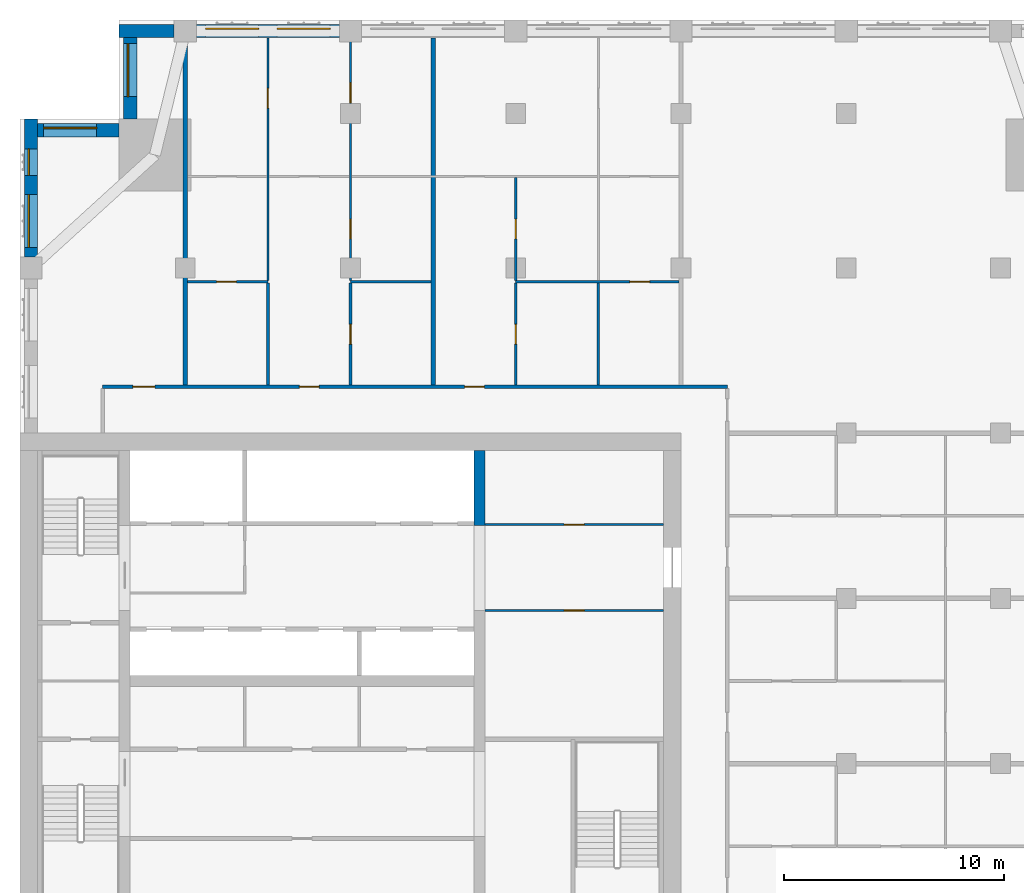
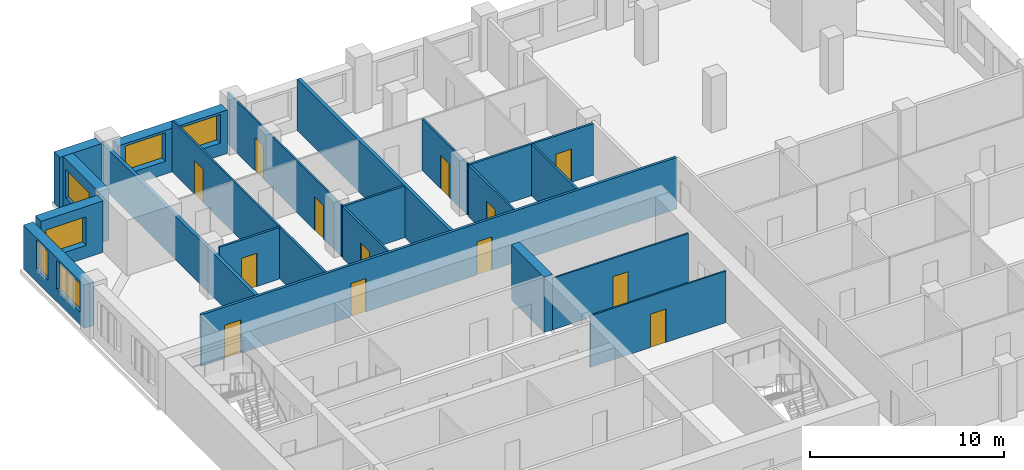
# One storey, part 10 of 14: 21 walls, 13 doors, 6 windows, 19 openings.
"""IFC4 building model written with IfcOpenShell, lengths in metres."""

from ifc_helpers import new_model, si_unit, direction, frame, frame_2d, origin, place, context, subcontext, project, spatial, rectangle, extrude, material, layer, layer_set, type_object, element, fill, save


model = new_model("IFC4")

# Units and contexts
model_context = context("Model", 3, precision=1e-05, world=origin(), true_north=direction((0.0, 1.0)))
body_context = subcontext(model_context, "Body", "Model", "MODEL_VIEW")
ifc_project = project(units=[si_unit("LENGTHUNIT", "METRE"), si_unit("AREAUNIT", "SQUARE_METRE"), si_unit("VOLUMEUNIT", "CUBIC_METRE"), si_unit("PLANEANGLEUNIT", "RADIAN"), si_unit("MASSUNIT", "GRAM", prefix="KILO")], contexts=[model_context])

# Site, building, storey
site_placement = place(None, origin())
site = spatial("IfcSite", under=ifc_project, at=site_placement, CompositionType="ELEMENT")
building_placement = place(site_placement, origin())
building = spatial("IfcBuilding", under=site, at=building_placement, Name="Tamorin Gate", CompositionType="ELEMENT")
storey_placement = place(building_placement, frame((0.0, 0.0, 196.699951171875)))
storey = spatial("IfcBuildingStorey", under=building, at=storey_placement, Name="L48", CompositionType="ELEMENT", Elevation=196.699951171875)

# Wall, openings, windows
ifc_material_1 = material(Name="Precast concrete C40/50", Category="concrete")
ifc_layer_1 = layer(ifc_material_1, 0.60009765625)
ifc_layer_set_1 = layer_set([ifc_layer_1], Name="Precast concrete C40/50")
wall_type_1 = type_object("IfcWallType", Name="Board-marked concrete facade panel 600", PredefinedType="SOLIDWALL", material=ifc_layer_set_1)
wall_1_placement = place(storey_placement, frame((44.5, 100.75, 0.0), z_axis=(0.0, 0.0, 1.0), x_axis=(-1.0, 0.0, 0.0)))
wall_1 = element("IfcWall", 1, at=wall_1_placement, inside=storey, type_object=wall_type_1, Name="Facade panel", PredefinedType="SOLIDWALL", context=body_context, shape_type="SweptSolid", body=[
    extrude(rectangle(XDim=6.5, YDim=0.60009765625, at=frame_2d((3.25, 0.0))), origin(), (0.0, 0.0, 1.0), 2.75),
])
opening_1_placement = place(wall_1_placement, frame((3.675048828125, 0.0, 0.800048828125)))
opening_1 = element("IfcOpeningElement", 2, at=opening_1_placement, cuts=wall_1, Name="Opening WN1", PredefinedType="OPENING", context=body_context, shape_type="SweptSolid", body=[
    extrude(rectangle(XDim=2.39990234375, YDim=1.800048828125, at=frame_2d((1.199951171875, 0.89990234375))), frame((0.0, 0.31005859375, 0.0), z_axis=(0.0, -1.0, 0.0), x_axis=(1.0, 0.0, 0.0)), (0.0, 0.0, 1.0), 0.6201171875),
])
opening_2_placement = place(wall_1_placement, frame((0.425048828125, 0.0, 0.800048828125)))
opening_2 = element("IfcOpeningElement", 3, at=opening_2_placement, cuts=wall_1, Name="Opening WN1", PredefinedType="OPENING", context=body_context, shape_type="SweptSolid", body=[
    extrude(rectangle(XDim=2.39990234375, YDim=1.800048828125, at=frame_2d((1.199951171875, 0.89990234375))), frame((0.0, 0.31005859375, 0.0), z_axis=(0.0, -1.0, 0.0), x_axis=(1.0, 0.0, 0.0)), (0.0, 0.0, 1.0), 0.6201171875),
])
ifc_material_2 = material(Name="Clear glass in aluminium frame", Category="aluminium")
window_type_1 = type_object("IfcWindowType", Name="Deep-set window 2400x1800", PartitioningType="SINGLE_PANEL", PredefinedType="WINDOW", material=ifc_material_2)
window_1_placement = place(opening_1_placement, origin())
window_1 = element("IfcWindow", 4, at=window_1_placement, inside=storey, type_object=window_type_1, Name="Deep-set window", OverallHeight=1.800048828125, OverallWidth=2.39990234375, PartitioningType="SINGLE_PANEL", PredefinedType="WINDOW", context=body_context, shape_type="SweptSolid", body=[
    extrude(rectangle(XDim=2.39990234375, YDim=1.800048828125, at=frame_2d((1.199951171875, 0.89990234375))), frame((0.0, -0.070068359375, 0.0), z_axis=(0.0, -1.0, 0.0), x_axis=(1.0, 0.0, 0.0)), (0.0, 0.0, 1.0), 0.06005859375),
])
fill(opening_1, window_1)
window_2_placement = place(opening_2_placement, origin())
window_2 = element("IfcWindow", 5, at=window_2_placement, inside=storey, type_object=window_type_1, Name="Deep-set window", OverallHeight=1.800048828125, OverallWidth=2.39990234375, PartitioningType="SINGLE_PANEL", PredefinedType="WINDOW", context=body_context, shape_type="SweptSolid", body=[
    extrude(rectangle(XDim=2.39990234375, YDim=1.800048828125, at=frame_2d((1.199951171875, 0.89990234375))), frame((0.0, -0.070068359375, 0.0), z_axis=(0.0, -1.0, 0.0), x_axis=(1.0, 0.0, 0.0)), (0.0, 0.0, 1.0), 0.06005859375),
])
fill(opening_2, window_2)

# Wall
wall_2_placement = place(storey_placement, frame((37.0, 100.75, 0.0), z_axis=(0.0, 0.0, 1.0), x_axis=(-1.0, 0.0, 0.0)))
element("IfcWall", 6, at=wall_2_placement, inside=storey, type_object=wall_type_1, Name="Facade panel", PredefinedType="SOLIDWALL", context=body_context, shape_type="SweptSolid", body=[
    extrude(rectangle(XDim=2.5, YDim=0.60009765625, at=frame_2d((1.25, 0.0))), origin(), (0.0, 0.0, 1.0), 3.25),
])

# Wall, opening, window
wall_3_placement = place(storey_placement, frame((35.0, 100.449951171875, 0.0), z_axis=(0.0, 0.0, 1.0), x_axis=(0.0, -1.0, 0.0)))
wall_3 = element("IfcWall", 7, at=wall_3_placement, inside=storey, type_object=wall_type_1, Name="Facade panel", PredefinedType="SOLIDWALL", context=body_context, shape_type="SweptSolid", body=[
    extrude(rectangle(XDim=3.699951171875, YDim=0.60009765625, at=frame_2d((1.85009765625, 0.0))), origin(), (0.0, 0.0, 1.0), 3.25),
])
opening_3_placement = place(wall_3_placement, frame((0.27490234375, 0.0, 0.800048828125)))
opening_3 = element("IfcOpeningElement", 8, at=opening_3_placement, cuts=wall_3, Name="Opening WN1", PredefinedType="OPENING", context=body_context, shape_type="SweptSolid", body=[
    extrude(rectangle(XDim=2.39990234375, YDim=1.800048828125, at=frame_2d((1.199951171875, 0.89990234375))), frame((0.0, 0.31005859375, 0.0), z_axis=(0.0, -1.0, 0.0), x_axis=(1.0, 0.0, 0.0)), (0.0, 0.0, 1.0), 0.6201171875),
])
window_3_placement = place(opening_3_placement, origin())
window_3 = element("IfcWindow", 9, at=window_3_placement, inside=storey, type_object=window_type_1, Name="Deep-set window", OverallHeight=1.800048828125, OverallWidth=2.39990234375, PartitioningType="SINGLE_PANEL", PredefinedType="WINDOW", context=body_context, shape_type="SweptSolid", body=[
    extrude(rectangle(XDim=2.39990234375, YDim=1.800048828125, at=frame_2d((1.199951171875, 0.89990234375))), frame((0.0, -0.070068359375, 0.0), z_axis=(0.0, -1.0, 0.0), x_axis=(1.0, 0.0, 0.0)), (0.0, 0.0, 1.0), 0.06005859375),
])
fill(opening_3, window_3)

wall_4_placement = place(storey_placement, frame((34.5, 96.25, 0.0), z_axis=(0.0, 0.0, 1.0), x_axis=(-1.0, 0.0, 0.0)))
wall_4 = element("IfcWall", 10, at=wall_4_placement, inside=storey, type_object=wall_type_1, Name="Facade panel", PredefinedType="SOLIDWALL", context=body_context, shape_type="SweptSolid", body=[
    extrude(rectangle(XDim=3.699951171875, YDim=0.60009765625, at=frame_2d((1.85009765625, 0.0))), origin(), (0.0, 0.0, 1.0), 3.25),
])
opening_4_placement = place(wall_4_placement, frame((1.02490234375, 0.0, 0.800048828125)))
opening_4 = element("IfcOpeningElement", 11, at=opening_4_placement, cuts=wall_4, Name="Opening WN1", PredefinedType="OPENING", context=body_context, shape_type="SweptSolid", body=[
    extrude(rectangle(XDim=2.39990234375, YDim=1.800048828125, at=frame_2d((1.199951171875, 0.89990234375))), frame((0.0, 0.31005859375, 0.0), z_axis=(0.0, -1.0, 0.0), x_axis=(1.0, 0.0, 0.0)), (0.0, 0.0, 1.0), 0.6201171875),
])
window_4_placement = place(opening_4_placement, origin())
window_4 = element("IfcWindow", 12, at=window_4_placement, inside=storey, type_object=window_type_1, Name="Deep-set window", OverallHeight=1.800048828125, OverallWidth=2.39990234375, PartitioningType="SINGLE_PANEL", PredefinedType="WINDOW", context=body_context, shape_type="SweptSolid", body=[
    extrude(rectangle(XDim=2.39990234375, YDim=1.800048828125, at=frame_2d((1.199951171875, 0.89990234375))), frame((0.0, -0.070068359375, 0.0), z_axis=(0.0, -1.0, 0.0), x_axis=(1.0, 0.0, 0.0)), (0.0, 0.0, 1.0), 0.06005859375),
])
fill(opening_4, window_4)

# Wall, openings, windows
wall_5_placement = place(storey_placement, frame((30.5, 96.75, 0.0), z_axis=(0.0, 0.0, 1.0), x_axis=(0.0, -1.0, 0.0)))
wall_5 = element("IfcWall", 13, at=wall_5_placement, inside=storey, type_object=wall_type_1, Name="Facade panel", PredefinedType="SOLIDWALL", context=body_context, shape_type="SweptSolid", body=[
    extrude(rectangle(XDim=6.25, YDim=0.60009765625, at=frame_2d((3.125, 0.0))), origin(), (0.0, 0.0, 1.0), 2.75),
])
opening_5_placement = place(wall_5_placement, frame((3.425048828125, 0.0, 0.800048828125)))
opening_5 = element("IfcOpeningElement", 14, at=opening_5_placement, cuts=wall_5, Name="Opening WN1", PredefinedType="OPENING", context=body_context, shape_type="SweptSolid", body=[
    extrude(rectangle(XDim=2.39990234375, YDim=1.800048828125, at=frame_2d((1.199951171875, 0.89990234375))), frame((0.0, 0.31005859375, 0.0), z_axis=(0.0, -1.0, 0.0), x_axis=(1.0, 0.0, 0.0)), (0.0, 0.0, 1.0), 0.6201171875),
])
opening_6_placement = place(wall_5_placement, frame((1.35009765625, 0.0, 0.800048828125)))
opening_6 = element("IfcOpeningElement", 15, at=opening_6_placement, cuts=wall_5, Name="Opening WN3", PredefinedType="OPENING", context=body_context, shape_type="SweptSolid", body=[
    extrude(rectangle(XDim=1.199951171875, YDim=1.800048828125, at=frame_2d((0.60009765625, 0.89990234375))), frame((0.0, 0.31005859375, 0.0), z_axis=(0.0, -1.0, 0.0), x_axis=(1.0, 0.0, 0.0)), (0.0, 0.0, 1.0), 0.6201171875),
])
window_type_2 = type_object("IfcWindowType", Name="Deep-set window 1200x1800", PartitioningType="SINGLE_PANEL", PredefinedType="WINDOW", material=ifc_material_2)
window_5_placement = place(opening_6_placement, origin())
window_5 = element("IfcWindow", 16, at=window_5_placement, inside=storey, type_object=window_type_2, Name="Deep-set window", OverallHeight=1.800048828125, OverallWidth=1.199951171875, PartitioningType="SINGLE_PANEL", PredefinedType="WINDOW", context=body_context, shape_type="SweptSolid", body=[
    extrude(rectangle(XDim=1.199951171875, YDim=1.800048828125, at=frame_2d((0.60009765625, 0.89990234375))), frame((0.0, -0.070068359375, 0.0), z_axis=(0.0, -1.0, 0.0), x_axis=(1.0, 0.0, 0.0)), (0.0, 0.0, 1.0), 0.06005859375),
])
fill(opening_6, window_5)
window_6_placement = place(opening_5_placement, origin())
window_6 = element("IfcWindow", 17, at=window_6_placement, inside=storey, type_object=window_type_1, Name="Deep-set window", OverallHeight=1.800048828125, OverallWidth=2.39990234375, PartitioningType="SINGLE_PANEL", PredefinedType="WINDOW", context=body_context, shape_type="SweptSolid", body=[
    extrude(rectangle(XDim=2.39990234375, YDim=1.800048828125, at=frame_2d((1.199951171875, 0.89990234375))), frame((0.0, -0.070068359375, 0.0), z_axis=(0.0, -1.0, 0.0), x_axis=(1.0, 0.0, 0.0)), (0.0, 0.0, 1.0), 0.06005859375),
])
fill(opening_5, window_6)

# Wall, openings, doors
ifc_material_3 = material(Name="Gypsum board partition")
ifc_layer_2 = layer(ifc_material_3, 0.14990234375)
ifc_layer_set_2 = layer_set([ifc_layer_2], Name="Corridor wall 150")
wall_type_2 = type_object("IfcWallType", Name="Corridor wall 150", PredefinedType="PARTITIONING", material=ifc_layer_set_2)
wall_6_placement = place(storey_placement, frame((33.75, 84.60009765625, 0.0), z_axis=(0.0, 0.0, 1.0), x_axis=(1.0, 0.0, 0.0)))
wall_6 = element("IfcWall", 18, at=wall_6_placement, inside=storey, type_object=wall_type_2, Name="Corridor wall 150", PredefinedType="PARTITIONING", context=body_context, shape_type="SweptSolid", body=[
    extrude(rectangle(XDim=28.35009765625, YDim=0.14990234375, at=frame_2d((14.175048828125, 0.0))), origin(), (0.0, 0.0, 1.0), 3.25),
])
opening_7_placement = place(wall_6_placement, frame((1.375, 0.0, 0.0)))
opening_7 = element("IfcOpeningElement", 19, at=opening_7_placement, cuts=wall_6, Name="Opening DR2019", PredefinedType="OPENING", context=body_context, shape_type="SweptSolid", body=[
    extrude(rectangle(XDim=1.0, YDim=2.10009765625, at=frame_2d((0.5, 1.050048828125))), frame((0.0, 0.0849609375, 0.0), z_axis=(0.0, -1.0, 0.0), x_axis=(1.0, 0.0, 0.0)), (0.0, 0.0, 1.0), 0.169921875),
])
opening_8_placement = place(wall_6_placement, frame((8.925048828125, 0.0, 0.0)))
opening_8 = element("IfcOpeningElement", 20, at=opening_8_placement, cuts=wall_6, Name="Opening DR2022", PredefinedType="OPENING", context=body_context, shape_type="SweptSolid", body=[
    extrude(rectangle(XDim=0.89990234375, YDim=2.10009765625, at=frame_2d((0.449951171875, 1.050048828125))), frame((0.0, 0.0849609375, 0.0), z_axis=(0.0, -1.0, 0.0), x_axis=(1.0, 0.0, 0.0)), (0.0, 0.0, 1.0), 0.169921875),
])
opening_9_placement = place(wall_6_placement, frame((16.425048828125, 0.0, 0.0)))
opening_9 = element("IfcOpeningElement", 21, at=opening_9_placement, cuts=wall_6, Name="Opening DR2028", PredefinedType="OPENING", context=body_context, shape_type="SweptSolid", body=[
    extrude(rectangle(XDim=0.89990234375, YDim=2.10009765625, at=frame_2d((0.449951171875, 1.050048828125))), frame((0.0, 0.0849609375, 0.0), z_axis=(0.0, -1.0, 0.0), x_axis=(1.0, 0.0, 0.0)), (0.0, 0.0, 1.0), 0.169921875),
])
ifc_material_4 = material(Name="Timber door leaf", Category="wood")
door_type_1 = type_object("IfcDoorType", Name="Door 1000 x 2100 FD30S", OperationType="NOTDEFINED", PredefinedType="DOOR", material=ifc_material_4)
door_1_placement = place(opening_7_placement, origin())
door_1 = element("IfcDoor", 22, at=door_1_placement, inside=storey, type_object=door_type_1, Name="Door DR2019", OperationType="SINGLE_SWING_LEFT", OverallHeight=2.10009765625, OverallWidth=1.0, PredefinedType="DOOR", context=body_context, shape_type="SweptSolid", body=[
    extrude(rectangle(XDim=1.0, YDim=2.10009765625, at=frame_2d((0.5, 1.050048828125))), frame((0.0, 0.02490234375, 0.0), z_axis=(0.0, -1.0, 0.0), x_axis=(1.0, 0.0, 0.0)), (0.0, 0.0, 1.0), 0.050048828125),
])
fill(opening_7, door_1)
door_type_2 = type_object("IfcDoorType", Name="Door 900 x 2100 FD30S", OperationType="NOTDEFINED", PredefinedType="DOOR", material=ifc_material_4)
door_2_placement = place(opening_8_placement, origin())
door_2 = element("IfcDoor", 23, at=door_2_placement, inside=storey, type_object=door_type_2, Name="Door DR2022", OperationType="SINGLE_SWING_LEFT", OverallHeight=2.10009765625, OverallWidth=0.89990234375, PredefinedType="DOOR", context=body_context, shape_type="SweptSolid", body=[
    extrude(rectangle(XDim=0.89990234375, YDim=2.10009765625, at=frame_2d((0.449951171875, 1.050048828125))), frame((0.0, 0.02490234375, 0.0), z_axis=(0.0, -1.0, 0.0), x_axis=(1.0, 0.0, 0.0)), (0.0, 0.0, 1.0), 0.050048828125),
])
fill(opening_8, door_2)
door_3_placement = place(opening_9_placement, origin())
door_3 = element("IfcDoor", 24, at=door_3_placement, inside=storey, type_object=door_type_2, Name="Door DR2028", OperationType="SINGLE_SWING_LEFT", OverallHeight=2.10009765625, OverallWidth=0.89990234375, PredefinedType="DOOR", context=body_context, shape_type="SweptSolid", body=[
    extrude(rectangle(XDim=0.89990234375, YDim=2.10009765625, at=frame_2d((0.449951171875, 1.050048828125))), frame((0.0, 0.02490234375, 0.0), z_axis=(0.0, -1.0, 0.0), x_axis=(1.0, 0.0, 0.0)), (0.0, 0.0, 1.0), 0.050048828125),
])
fill(opening_9, door_3)

# Walls
ifc_layer_3 = layer(ifc_material_3, 0.199951171875)
ifc_layer_set_3 = layer_set([ifc_layer_3], Name="Demising wall 200")
wall_type_3 = type_object("IfcWallType", Name="Demising wall 200", PredefinedType="PARTITIONING", material=ifc_layer_set_3)
wall_7_placement = place(storey_placement, frame((37.5, 84.675048828125, 0.0), z_axis=(0.0, 0.0, 1.0), x_axis=(0.0, 1.0, 0.0)))
element("IfcWall", 25, at=wall_7_placement, inside=storey, type_object=wall_type_3, Name="Demising wall 200", PredefinedType="PARTITIONING", context=body_context, shape_type="SweptSolid", body=[
    extrude(rectangle(XDim=16.574951171875, YDim=0.199951171875, at=frame_2d((8.28759765625, 0.0))), origin(), (0.0, 0.0, 1.0), 2.75),
])
wall_8_placement = place(storey_placement, frame((48.75, 84.675048828125, 0.0), z_axis=(0.0, 0.0, 1.0), x_axis=(0.0, 1.0, 0.0)))
element("IfcWall", 26, at=wall_8_placement, inside=storey, type_object=wall_type_3, Name="Demising wall 200", PredefinedType="PARTITIONING", context=body_context, shape_type="SweptSolid", body=[
    extrude(rectangle(XDim=15.764892578125, YDim=0.199951171875, at=frame_2d((7.88232421875, 0.0))), origin(), (0.0, 0.0, 1.0), 3.25),
])
ifc_material_5 = material(Name="Concrete C60/75", Category="concrete")
ifc_layer_4 = layer(ifc_material_5, 0.5)
ifc_layer_set_4 = layer_set([ifc_layer_4], Name="RC core internal wall 500 C60/75")
wall_type_4 = type_object("IfcWallType", Name="RC core internal wall 500 C60/75", PredefinedType="SHEAR", material=ifc_layer_set_4)
wall_9_placement = place(storey_placement, frame((50.85009765625, 78.300048828125, 0.0), z_axis=(0.0, 0.0, 1.0), x_axis=(0.0, 1.0, 0.0)))
element("IfcWall", 27, at=wall_9_placement, inside=storey, type_object=wall_type_4, Name="Core cross wall L48", PredefinedType="SHEAR", context=body_context, shape_type="SweptSolid", body=[
    extrude(rectangle(XDim=3.39990234375, YDim=0.5, at=frame_2d((1.699951171875, 0.0))), origin(), (0.0, 0.0, 1.0), 3.5),
])

# Wall, opening, door
ifc_layer_5 = layer(ifc_material_3, 0.10009765625)
ifc_layer_set_5 = layer_set([ifc_layer_5], Name="Room partition 100")
wall_type_5 = type_object("IfcWallType", Name="Room partition 100", PredefinedType="PARTITIONING", material=ifc_layer_set_5)
wall_10_placement = place(storey_placement, frame((41.25, 89.4375, 0.0), z_axis=(0.0, 0.0, 1.0), x_axis=(0.0, 1.0, 0.0)))
wall_10 = element("IfcWall", 28, at=wall_10_placement, inside=storey, type_object=wall_type_5, Name="Room partition 100", PredefinedType="PARTITIONING", context=body_context, shape_type="SweptSolid", body=[
    extrude(rectangle(XDim=11.00244140625, YDim=0.10009765625, at=frame_2d((5.501220703125, 0.0))), origin(), (0.0, 0.0, 1.0), 3.25),
])
opening_10_placement = place(wall_10_placement, frame((7.8125, 0.0, 0.0)))
opening_10 = element("IfcOpeningElement", 29, at=opening_10_placement, cuts=wall_10, Name="Opening DR2026", PredefinedType="OPENING", context=body_context, shape_type="SweptSolid", body=[
    extrude(rectangle(XDim=0.89990234375, YDim=2.10009765625, at=frame_2d((0.449951171875, 1.050048828125))), frame((0.0, 0.06005859375, 0.0), z_axis=(0.0, -1.0, 0.0), x_axis=(1.0, 0.0, 0.0)), (0.0, 0.0, 1.0), 0.1201171875),
])
door_type_3 = type_object("IfcDoorType", Name="Door 900 x 2100", OperationType="NOTDEFINED", PredefinedType="DOOR", material=ifc_material_4)
door_4_placement = place(opening_10_placement, origin())
door_4 = element("IfcDoor", 30, at=door_4_placement, inside=storey, type_object=door_type_3, Name="Door DR2026", OperationType="SINGLE_SWING_RIGHT", OverallHeight=2.10009765625, OverallWidth=0.89990234375, PredefinedType="DOOR", context=body_context, shape_type="SweptSolid", body=[
    extrude(rectangle(XDim=0.89990234375, YDim=2.10009765625, at=frame_2d((0.449951171875, 1.050048828125))), frame((0.0, 0.02490234375, 0.0), z_axis=(0.0, -1.0, 0.0), x_axis=(1.0, 0.0, 0.0)), (0.0, 0.0, 1.0), 0.050048828125),
])
fill(opening_10, door_4)

# Wall, openings, doors
wall_11_placement = place(storey_placement, frame((45.0, 89.4375, 0.0), z_axis=(0.0, 0.0, 1.0), x_axis=(0.0, 1.0, 0.0)))
wall_11 = element("IfcWall", 31, at=wall_11_placement, inside=storey, type_object=wall_type_5, Name="Room partition 100", PredefinedType="PARTITIONING", context=body_context, shape_type="SweptSolid", body=[
    extrude(rectangle(XDim=11.8125, YDim=0.10009765625, at=frame_2d((5.90625, 0.0))), origin(), (0.0, 0.0, 1.0), 3.25),
])
opening_11_placement = place(wall_11_placement, frame((1.875, 0.0, 0.0)))
opening_11 = element("IfcOpeningElement", 32, at=opening_11_placement, cuts=wall_11, Name="Opening DR2024", PredefinedType="OPENING", context=body_context, shape_type="SweptSolid", body=[
    extrude(rectangle(XDim=0.89990234375, YDim=2.10009765625, at=frame_2d((0.449951171875, 1.050048828125))), frame((0.0, 0.06005859375, 0.0), z_axis=(0.0, -1.0, 0.0), x_axis=(1.0, 0.0, 0.0)), (0.0, 0.0, 1.0), 0.1201171875),
])
opening_12_placement = place(wall_11_placement, frame((8.0625, 0.0, 0.0)))
opening_12 = element("IfcOpeningElement", 33, at=opening_12_placement, cuts=wall_11, Name="Opening DR2027", PredefinedType="OPENING", context=body_context, shape_type="SweptSolid", body=[
    extrude(rectangle(XDim=0.89990234375, YDim=2.10009765625, at=frame_2d((0.449951171875, 1.050048828125))), frame((0.0, 0.06005859375, 0.0), z_axis=(0.0, -1.0, 0.0), x_axis=(1.0, 0.0, 0.0)), (0.0, 0.0, 1.0), 0.1201171875),
])
door_5_placement = place(opening_11_placement, origin())
door_5 = element("IfcDoor", 34, at=door_5_placement, inside=storey, type_object=door_type_3, Name="Door DR2024", OperationType="SINGLE_SWING_LEFT", OverallHeight=2.10009765625, OverallWidth=0.89990234375, PredefinedType="DOOR", context=body_context, shape_type="SweptSolid", body=[
    extrude(rectangle(XDim=0.89990234375, YDim=2.10009765625, at=frame_2d((0.449951171875, 1.050048828125))), frame((0.0, 0.02490234375, 0.0), z_axis=(0.0, -1.0, 0.0), x_axis=(1.0, 0.0, 0.0)), (0.0, 0.0, 1.0), 0.050048828125),
])
fill(opening_11, door_5)
door_6_placement = place(opening_12_placement, origin())
door_6 = element("IfcDoor", 35, at=door_6_placement, inside=storey, type_object=door_type_3, Name="Door DR2027", OperationType="SINGLE_SWING_RIGHT", OverallHeight=2.10009765625, OverallWidth=0.89990234375, PredefinedType="DOOR", context=body_context, shape_type="SweptSolid", body=[
    extrude(rectangle(XDim=0.89990234375, YDim=2.10009765625, at=frame_2d((0.449951171875, 1.050048828125))), frame((0.0, 0.02490234375, 0.0), z_axis=(0.0, -1.0, 0.0), x_axis=(1.0, 0.0, 0.0)), (0.0, 0.0, 1.0), 0.050048828125),
])
fill(opening_12, door_6)

# Wall, opening, door
wall_12_placement = place(storey_placement, frame((52.5, 89.4375, 0.0), z_axis=(0.0, 0.0, 1.0), x_axis=(0.0, 1.0, 0.0)))
wall_12 = element("IfcWall", 36, at=wall_12_placement, inside=storey, type_object=wall_type_5, Name="Room partition 100", PredefinedType="PARTITIONING", context=body_context, shape_type="SweptSolid", body=[
    extrude(rectangle(XDim=4.66259765625, YDim=0.10009765625, at=frame_2d((2.331298828125, 0.0))), origin(), (0.0, 0.0, 1.0), 3.25),
])
opening_13_placement = place(wall_12_placement, frame((1.875, 0.0, 0.0)))
opening_13 = element("IfcOpeningElement", 37, at=opening_13_placement, cuts=wall_12, Name="Opening DR2030", PredefinedType="OPENING", context=body_context, shape_type="SweptSolid", body=[
    extrude(rectangle(XDim=0.89990234375, YDim=2.10009765625, at=frame_2d((0.449951171875, 1.050048828125))), frame((0.0, 0.06005859375, 0.0), z_axis=(0.0, -1.0, 0.0), x_axis=(1.0, 0.0, 0.0)), (0.0, 0.0, 1.0), 0.1201171875),
])
door_7_placement = place(opening_13_placement, origin())
door_7 = element("IfcDoor", 38, at=door_7_placement, inside=storey, type_object=door_type_3, Name="Door DR2030", OperationType="SINGLE_SWING_LEFT", OverallHeight=2.10009765625, OverallWidth=0.89990234375, PredefinedType="DOOR", context=body_context, shape_type="SweptSolid", body=[
    extrude(rectangle(XDim=0.89990234375, YDim=2.10009765625, at=frame_2d((0.449951171875, 1.050048828125))), frame((0.0, 0.02490234375, 0.0), z_axis=(0.0, -1.0, 0.0), x_axis=(1.0, 0.0, 0.0)), (0.0, 0.0, 1.0), 0.050048828125),
])
fill(opening_13, door_7)

ifc_layer_6 = layer(ifc_material_3, 0.10009765625)
ifc_layer_set_6 = layer_set([ifc_layer_6], Name="Service room partition 100 EI 60")
wall_type_6 = type_object("IfcWallType", Name="Service room partition 100 EI 60", PredefinedType="PARTITIONING", material=ifc_layer_set_6)
wall_13_placement = place(storey_placement, frame((51.10009765625, 74.449951171875, 0.0), z_axis=(0.0, 0.0, 1.0), x_axis=(1.0, 0.0, 0.0)))
wall_13 = element("IfcWall", 39, at=wall_13_placement, inside=storey, type_object=wall_type_6, Name="Service room wall", PredefinedType="PARTITIONING", context=body_context, shape_type="SweptSolid", body=[
    extrude(rectangle(XDim=8.099853515625, YDim=0.10009765625, at=frame_2d((4.0498046875, 0.0))), origin(), (0.0, 0.0, 1.0), 3.25),
])
opening_14_placement = place(wall_13_placement, frame((3.60009765625, 0.0, 0.0)))
opening_14 = element("IfcOpeningElement", 40, at=opening_14_placement, cuts=wall_13, Name="Opening DR1", PredefinedType="OPENING", context=body_context, shape_type="SweptSolid", body=[
    extrude(rectangle(XDim=0.89990234375, YDim=2.10009765625, at=frame_2d((0.449951171875, 1.050048828125))), frame((0.0, 0.06005859375, 0.0), z_axis=(0.0, -1.0, 0.0), x_axis=(1.0, 0.0, 0.0)), (0.0, 0.0, 1.0), 0.1201171875),
])
ifc_material_6 = material(Name="Steel fire door", Category="steel")
door_type_4 = type_object("IfcDoorType", Name="Riser access door 900 x 2100 EI 120", OperationType="SINGLE_SWING_LEFT", PredefinedType="DOOR", material=ifc_material_6)
door_8_placement = place(opening_14_placement, origin())
door_8 = element("IfcDoor", 41, at=door_8_placement, inside=storey, type_object=door_type_4, Name="Duct riser door", OperationType="SINGLE_SWING_RIGHT", OverallHeight=2.10009765625, OverallWidth=0.89990234375, PredefinedType="DOOR", context=body_context, shape_type="SweptSolid", body=[
    extrude(rectangle(XDim=0.89990234375, YDim=2.10009765625, at=frame_2d((0.449951171875, 1.050048828125))), frame((0.0, 0.02490234375, 0.0), z_axis=(0.0, -1.0, 0.0), x_axis=(1.0, 0.0, 0.0)), (0.0, 0.0, 1.0), 0.050048828125),
])
fill(opening_14, door_8)

wall_14_placement = place(storey_placement, frame((51.10009765625, 78.35009765625, 0.0), z_axis=(0.0, 0.0, 1.0), x_axis=(1.0, 0.0, 0.0)))
wall_14 = element("IfcWall", 42, at=wall_14_placement, inside=storey, type_object=wall_type_6, Name="Service room wall", PredefinedType="PARTITIONING", context=body_context, shape_type="SweptSolid", body=[
    extrude(rectangle(XDim=8.099853515625, YDim=0.10009765625, at=frame_2d((4.0498046875, 0.0))), origin(), (0.0, 0.0, 1.0), 3.25),
])
opening_15_placement = place(wall_14_placement, frame((3.60009765625, 0.0, 0.0)))
opening_15 = element("IfcOpeningElement", 43, at=opening_15_placement, cuts=wall_14, Name="Opening DK1", PredefinedType="OPENING", context=body_context, shape_type="SweptSolid", body=[
    extrude(rectangle(XDim=0.89990234375, YDim=2.10009765625, at=frame_2d((0.449951171875, 1.050048828125))), frame((0.0, 0.06005859375, 0.0), z_axis=(0.0, -1.0, 0.0), x_axis=(1.0, 0.0, 0.0)), (0.0, 0.0, 1.0), 0.1201171875),
])
ifc_material_7 = material(Name="Timber fire door", Category="wood")
door_type_5 = type_object("IfcDoorType", Name="Service room door 900 x 2100 EI 60", OperationType="SINGLE_SWING_LEFT", PredefinedType="DOOR", material=ifc_material_7)
door_9_placement = place(opening_15_placement, origin())
door_9 = element("IfcDoor", 44, at=door_9_placement, inside=storey, type_object=door_type_5, Name="Door Store", OperationType="SINGLE_SWING_RIGHT", OverallHeight=2.10009765625, OverallWidth=0.89990234375, PredefinedType="DOOR", context=body_context, shape_type="SweptSolid", body=[
    extrude(rectangle(XDim=0.89990234375, YDim=2.10009765625, at=frame_2d((0.449951171875, 1.050048828125))), frame((0.0, 0.02490234375, 0.0), z_axis=(0.0, -1.0, 0.0), x_axis=(1.0, 0.0, 0.0)), (0.0, 0.0, 1.0), 0.050048828125),
])
fill(opening_15, door_9)

ifc_layer_7 = layer(ifc_material_3, 0.125)
ifc_layer_set_7 = layer_set([ifc_layer_7], Name="Wet wall 125")
wall_type_7 = type_object("IfcWallType", Name="Wet wall 125", PredefinedType="PARTITIONING", material=ifc_layer_set_7)
wall_15_placement = place(storey_placement, frame((37.60009765625, 89.375, 0.0), z_axis=(0.0, 0.0, 1.0), x_axis=(1.0, 0.0, 0.0)))
wall_15 = element("IfcWall", 45, at=wall_15_placement, inside=storey, type_object=wall_type_7, Name="Wet wall 125", PredefinedType="PARTITIONING", context=body_context, shape_type="SweptSolid", body=[
    extrude(rectangle(XDim=3.64990234375, YDim=0.125, at=frame_2d((1.824951171875, 0.0))), origin(), (0.0, 0.0, 1.0), 3.25),
])
opening_16_placement = place(wall_15_placement, frame((1.324951171875, 0.0, 0.0)))
opening_16 = element("IfcOpeningElement", 46, at=opening_16_placement, cuts=wall_15, Name="Opening DR2021", PredefinedType="OPENING", context=body_context, shape_type="SweptSolid", body=[
    extrude(rectangle(XDim=0.89990234375, YDim=2.10009765625, at=frame_2d((0.449951171875, 1.050048828125))), frame((0.0, 0.072509765625, 0.0), z_axis=(0.0, -1.0, 0.0), x_axis=(1.0, 0.0, 0.0)), (0.0, 0.0, 1.0), 0.14501953125),
])
door_10_placement = place(opening_16_placement, origin())
door_10 = element("IfcDoor", 47, at=door_10_placement, inside=storey, type_object=door_type_3, Name="Door DR2021", OperationType="SINGLE_SWING_RIGHT", OverallHeight=2.10009765625, OverallWidth=0.89990234375, PredefinedType="DOOR", context=body_context, shape_type="SweptSolid", body=[
    extrude(rectangle(XDim=0.89990234375, YDim=2.10009765625, at=frame_2d((0.449951171875, 1.050048828125))), frame((0.0, 0.02490234375, 0.0), z_axis=(0.0, -1.0, 0.0), x_axis=(1.0, 0.0, 0.0)), (0.0, 0.0, 1.0), 0.050048828125),
])
fill(opening_16, door_10)

# Wall
wall_16_placement = place(storey_placement, frame((45.0, 89.375, 0.0), z_axis=(0.0, 0.0, 1.0), x_axis=(1.0, 0.0, 0.0)))
element("IfcWall", 48, at=wall_16_placement, inside=storey, type_object=wall_type_7, Name="Wet wall 125", PredefinedType="PARTITIONING", context=body_context, shape_type="SweptSolid", body=[
    extrude(rectangle(XDim=3.64990234375, YDim=0.125, at=frame_2d((1.824951171875, 0.0))), origin(), (0.0, 0.0, 1.0), 3.25),
])

# Wall, opening, door
wall_17_placement = place(storey_placement, frame((52.5, 89.375, 0.0), z_axis=(0.0, 0.0, 1.0), x_axis=(1.0, 0.0, 0.0)))
wall_17 = element("IfcWall", 49, at=wall_17_placement, inside=storey, type_object=wall_type_7, Name="Wet wall 125", PredefinedType="PARTITIONING", context=body_context, shape_type="SweptSolid", body=[
    extrude(rectangle(XDim=7.39990234375, YDim=0.125, at=frame_2d((3.699951171875, 0.0))), origin(), (0.0, 0.0, 1.0), 3.25),
])
opening_17_placement = place(wall_17_placement, frame((5.175048828125, 0.0, 0.0)))
opening_17 = element("IfcOpeningElement", 50, at=opening_17_placement, cuts=wall_17, Name="Opening DR2033", PredefinedType="OPENING", context=body_context, shape_type="SweptSolid", body=[
    extrude(rectangle(XDim=0.89990234375, YDim=2.10009765625, at=frame_2d((0.449951171875, 1.050048828125))), frame((0.0, 0.072509765625, 0.0), z_axis=(0.0, -1.0, 0.0), x_axis=(1.0, 0.0, 0.0)), (0.0, 0.0, 1.0), 0.14501953125),
])
door_11_placement = place(opening_17_placement, origin())
door_11 = element("IfcDoor", 51, at=door_11_placement, inside=storey, type_object=door_type_3, Name="Door DR2033", OperationType="SINGLE_SWING_RIGHT", OverallHeight=2.10009765625, OverallWidth=0.89990234375, PredefinedType="DOOR", context=body_context, shape_type="SweptSolid", body=[
    extrude(rectangle(XDim=0.89990234375, YDim=2.10009765625, at=frame_2d((0.449951171875, 1.050048828125))), frame((0.0, 0.02490234375, 0.0), z_axis=(0.0, -1.0, 0.0), x_axis=(1.0, 0.0, 0.0)), (0.0, 0.0, 1.0), 0.050048828125),
])
fill(opening_17, door_11)

# Wall
wall_18_placement = place(storey_placement, frame((41.25, 84.675048828125, 0.0), z_axis=(0.0, 0.0, 1.0), x_axis=(0.0, 1.0, 0.0)))
element("IfcWall", 52, at=wall_18_placement, inside=storey, type_object=wall_type_7, Name="Wet wall 125", PredefinedType="PARTITIONING", context=body_context, shape_type="SweptSolid", body=[
    extrude(rectangle(XDim=4.637451171875, YDim=0.125, at=frame_2d((2.31884765625, 0.0))), origin(), (0.0, 0.0, 1.0), 3.25),
])

# Wall, opening, door
wall_19_placement = place(storey_placement, frame((45.0, 84.675048828125, 0.0), z_axis=(0.0, 0.0, 1.0), x_axis=(0.0, 1.0, 0.0)))
wall_19 = element("IfcWall", 53, at=wall_19_placement, inside=storey, type_object=wall_type_7, Name="Wet wall 125", PredefinedType="PARTITIONING", context=body_context, shape_type="SweptSolid", body=[
    extrude(rectangle(XDim=4.637451171875, YDim=0.125, at=frame_2d((2.31884765625, 0.0))), origin(), (0.0, 0.0, 1.0), 3.25),
])
opening_18_placement = place(wall_19_placement, frame((1.862548828125, 0.0, 0.0)))
opening_18 = element("IfcOpeningElement", 54, at=opening_18_placement, cuts=wall_19, Name="Opening DR2025", PredefinedType="OPENING", context=body_context, shape_type="SweptSolid", body=[
    extrude(rectangle(XDim=0.89990234375, YDim=2.10009765625, at=frame_2d((0.449951171875, 1.050048828125))), frame((0.0, 0.072509765625, 0.0), z_axis=(0.0, -1.0, 0.0), x_axis=(1.0, 0.0, 0.0)), (0.0, 0.0, 1.0), 0.14501953125),
])
door_12_placement = place(opening_18_placement, origin())
door_12 = element("IfcDoor", 55, at=door_12_placement, inside=storey, type_object=door_type_3, Name="Door DR2025", OperationType="SINGLE_SWING_RIGHT", OverallHeight=2.10009765625, OverallWidth=0.89990234375, PredefinedType="DOOR", context=body_context, shape_type="SweptSolid", body=[
    extrude(rectangle(XDim=0.89990234375, YDim=2.10009765625, at=frame_2d((0.449951171875, 1.050048828125))), frame((0.0, 0.02490234375, 0.0), z_axis=(0.0, -1.0, 0.0), x_axis=(1.0, 0.0, 0.0)), (0.0, 0.0, 1.0), 0.050048828125),
])
fill(opening_18, door_12)

wall_20_placement = place(storey_placement, frame((52.5, 84.675048828125, 0.0), z_axis=(0.0, 0.0, 1.0), x_axis=(0.0, 1.0, 0.0)))
wall_20 = element("IfcWall", 56, at=wall_20_placement, inside=storey, type_object=wall_type_7, Name="Wet wall 125", PredefinedType="PARTITIONING", context=body_context, shape_type="SweptSolid", body=[
    extrude(rectangle(XDim=4.637451171875, YDim=0.125, at=frame_2d((2.31884765625, 0.0))), origin(), (0.0, 0.0, 1.0), 3.25),
])
opening_19_placement = place(wall_20_placement, frame((1.862548828125, 0.0, 0.0)))
opening_19 = element("IfcOpeningElement", 57, at=opening_19_placement, cuts=wall_20, Name="Opening DR2031", PredefinedType="OPENING", context=body_context, shape_type="SweptSolid", body=[
    extrude(rectangle(XDim=0.89990234375, YDim=2.10009765625, at=frame_2d((0.449951171875, 1.050048828125))), frame((0.0, 0.072509765625, 0.0), z_axis=(0.0, -1.0, 0.0), x_axis=(1.0, 0.0, 0.0)), (0.0, 0.0, 1.0), 0.14501953125),
])
door_13_placement = place(opening_19_placement, origin())
door_13 = element("IfcDoor", 58, at=door_13_placement, inside=storey, type_object=door_type_3, Name="Door DR2031", OperationType="SINGLE_SWING_RIGHT", OverallHeight=2.10009765625, OverallWidth=0.89990234375, PredefinedType="DOOR", context=body_context, shape_type="SweptSolid", body=[
    extrude(rectangle(XDim=0.89990234375, YDim=2.10009765625, at=frame_2d((0.449951171875, 1.050048828125))), frame((0.0, 0.02490234375, 0.0), z_axis=(0.0, -1.0, 0.0), x_axis=(1.0, 0.0, 0.0)), (0.0, 0.0, 1.0), 0.050048828125),
])
fill(opening_19, door_13)

# Wall
wall_21_placement = place(storey_placement, frame((56.25, 84.675048828125, 0.0), z_axis=(0.0, 0.0, 1.0), x_axis=(0.0, 1.0, 0.0)))
element("IfcWall", 59, at=wall_21_placement, inside=storey, type_object=wall_type_7, Name="Wet wall 125", PredefinedType="PARTITIONING", context=body_context, shape_type="SweptSolid", body=[
    extrude(rectangle(XDim=4.637451171875, YDim=0.125, at=frame_2d((2.31884765625, 0.0))), origin(), (0.0, 0.0, 1.0), 3.25),
])

save(model, "model.ifc")
